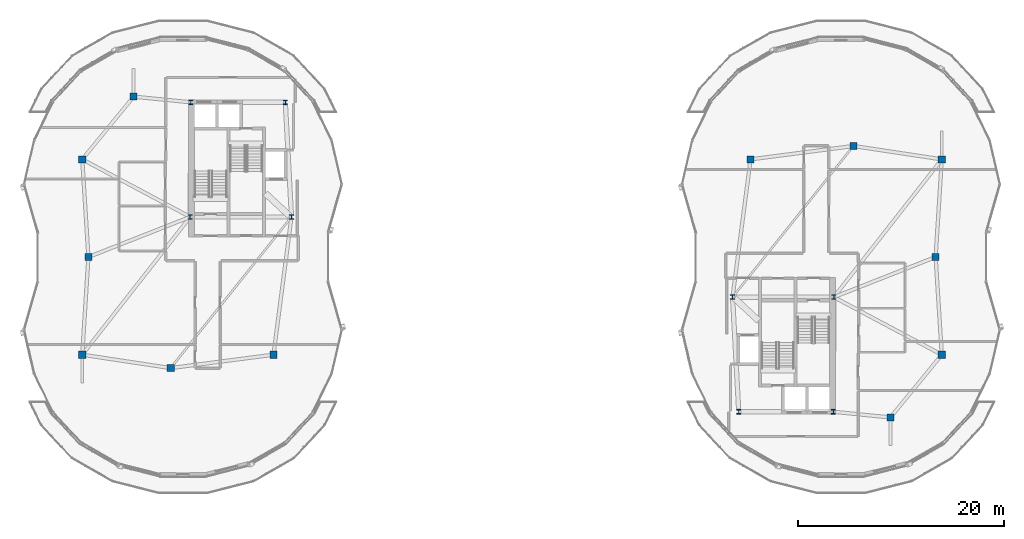
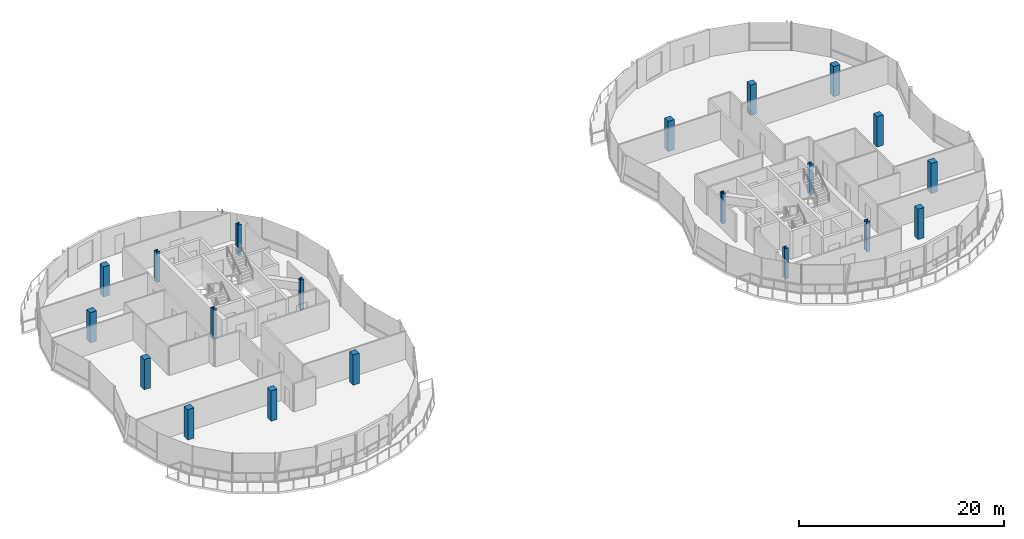
# One storey, part 1 of 20: 20 columns.
"""IFC4 building model written with IfcOpenShell, lengths in metres."""

from ifc_helpers import new_model, si_unit, direction, frame, origin, origin_2d, place, context, subcontext, project, spatial, rectangle, i_section, extrude, material, material_profile, profile_set, type_object, element, save


model = new_model("IFC4")

# Units and contexts
model_context = context("Model", 3, precision=1e-05, world=origin(), true_north=direction((0.0, 1.0)))
body_context = subcontext(model_context, "Body", "Model", "MODEL_VIEW")
ifc_project = project(units=[si_unit("LENGTHUNIT", "METRE"), si_unit("AREAUNIT", "SQUARE_METRE"), si_unit("VOLUMEUNIT", "CUBIC_METRE"), si_unit("PLANEANGLEUNIT", "RADIAN"), si_unit("MASSUNIT", "GRAM", prefix="KILO"), si_unit("THERMODYNAMICTEMPERATUREUNIT", "KELVIN"), si_unit("POWERUNIT", "WATT")], contexts=[model_context])

# Site, building, storey
site_placement = place(None, origin())
site = spatial("IfcSite", under=ifc_project, at=site_placement, CompositionType="ELEMENT")
building_placement = place(site_placement, origin())
building = spatial("IfcBuilding", under=site, at=building_placement, Name="Cundina Bronze Exchange", CompositionType="ELEMENT")
storey_placement = place(building_placement, frame((0.0, 0.0, 279.199951171875)))
storey = spatial("IfcBuildingStorey", under=building, at=storey_placement, Name="L74", CompositionType="ELEMENT", Elevation=279.199951171875)

# Columns
ifc_material_1 = material(Name="Concrete C50/60", Category="concrete")
ifc_material_profile_1 = material_profile(ifc_material_1, rectangle(XDim=0.699951171875, YDim=0.699951171875, at=origin_2d()), Name="RC700X700", Category="concrete")
ifc_profile_set_1 = profile_set([ifc_material_profile_1], Name="Concrete C50/60")
column_type_1 = type_object("IfcColumnType", Name="COL-CRN-700", PredefinedType="COLUMN", material=ifc_profile_set_1)
for number, where, z_axis, x_axis, name in (
    (1, (-41.199951171875, 0.0, 0.0), (0.0, 0.0, 1.0), (1.0, 0.0, 0.0), "L74 W Inner Ring Column 1"),
    (2, (-41.800048828125, 9.5, 0.0), (0.0, 0.0, 1.0), (1.0, 0.0, 0.0), "L74 W Inner Ring Column 2"),
    (3, (-36.800048828125, 15.60009765625, 0.0), (0.0, 0.0, 1.0), (1.0, 0.0, 0.0), "L74 W Inner Ring Column 3"),
    (4, (-41.800048828125, -9.5, 0.0), (0.0, 0.0, 1.0), (1.0, 0.0, 0.0), "L74 W Inner Ring Column 4"),
    (5, (-33.199951171875, -10.800048828125, 0.0), (0.0, 0.0, 1.0), (1.0, 0.0, 0.0), "L74 W Inner Ring Column 5"),
    (6, (-23.199951171875, -9.5, 0.0), (0.0, 0.0, 1.0), (1.0, 0.0, 0.0), "L74 W Inner Ring Column 6"),
    (7, (41.199951171875, 0.0, 0.0), (0.0, 0.0, 1.0), (1.0, 0.0, 0.0), "L74 E Inner Ring Column 1"),
    (8, (41.800048828125, -9.5, 0.0), (0.0, 0.0, 1.0), (1.0, 0.0, 0.0), "L74 E Inner Ring Column 2"),
    (9, (36.800048828125, -15.60009765625, 0.0), (0.0, 0.0, 1.0), (1.0, 0.0, 0.0), "L74 E Inner Ring Column 3"),
    (10, (41.800048828125, 9.5, 0.0), (0.0, 0.0, 1.0), (1.0, 0.0, 0.0), "L74 E Inner Ring Column 4"),
    (11, (33.199951171875, 10.800048828125, 0.0), (0.0, 0.0, 1.0), (1.0, 0.0, 0.0), "L74 E Inner Ring Column 5"),
    (12, (23.199951171875, 9.5, 0.0), (0.0, 0.0, 1.0), (1.0, 0.0, 0.0), "L74 E Inner Ring Column 6"),
):
    element("IfcColumn", number, at=place(storey_placement, frame(where, z_axis=z_axis, x_axis=x_axis)), inside=storey, type_object=column_type_1, Name=name, PredefinedType="COLUMN", context=body_context, shape_type="SweptSolid", body=[
        extrude(rectangle(XDim=0.699951171875, YDim=0.699951171875, at=origin_2d()), origin(), (0.0, 0.0, 1.0), 3.60009765625),
    ])
ifc_material_2 = material(Name="Steel ASTM A992 Grade 50", Category="steel")
ifc_material_profile_2 = material_profile(ifc_material_2, i_section(OverallWidth=0.416015625, OverallDepth=0.446044921875, WebThickness=0.0390625, FlangeThickness=0.062744140625, FilletRadius=0.01806640625, at=origin_2d()), Name="W14X342", Category="steel")
ifc_profile_set_2 = profile_set([ifc_material_profile_2], Name="Steel ASTM A992 Grade 50")
column_type_2 = type_object("IfcColumnType", Name="COL-STL-W14B", PredefinedType="COLUMN", material=ifc_profile_set_2)
for number, where, z_axis, x_axis, name in (
    (13, (-31.300048828125, 3.89990234375, 0.0), (0.0, 0.0, 1.0), (1.0, 0.0, 0.0), "L74 Core Anchor Column W1"),
    (14, (-21.449951171875, 3.89990234375, 0.0), (0.0, 0.0, 1.0), (1.0, 0.0, 0.0), "L74 Core Anchor Column W2"),
    (15, (-22.050048828125, 15.050048828125, 0.0), (0.0, 0.0, 1.0), (1.0, 0.0, 0.0), "L74 Core Anchor Column W3"),
    (16, (-31.25, 15.050048828125, 0.0), (0.0, 0.0, 1.0), (1.0, 0.0, 0.0), "L74 Core Anchor Column W4"),
    (17, (31.300048828125, -3.89990234375, 0.0), (0.0, 0.0, 1.0), (1.0, 0.0, 0.0), "L74 Core Anchor Column E1"),
    (18, (21.449951171875, -3.89990234375, 0.0), (0.0, 0.0, 1.0), (1.0, 0.0, 0.0), "L74 Core Anchor Column E2"),
    (19, (22.050048828125, -15.050048828125, 0.0), (0.0, 0.0, 1.0), (1.0, 0.0, 0.0), "L74 Core Anchor Column E3"),
    (20, (31.25, -15.050048828125, 0.0), (0.0, 0.0, 1.0), (1.0, 0.0, 0.0), "L74 Core Anchor Column E4"),
):
    element("IfcColumn", number, at=place(storey_placement, frame(where, z_axis=z_axis, x_axis=x_axis)), inside=storey, type_object=column_type_2, Name=name, PredefinedType="COLUMN", context=body_context, shape_type="SweptSolid", body=[
        extrude(i_section(OverallWidth=0.416015625, OverallDepth=0.446044921875, WebThickness=0.0390625, FlangeThickness=0.062744140625, FilletRadius=0.01806640625, at=origin_2d()), origin(), (0.0, 0.0, 1.0), 3.60009765625),
    ])

save(model, "model.ifc")
